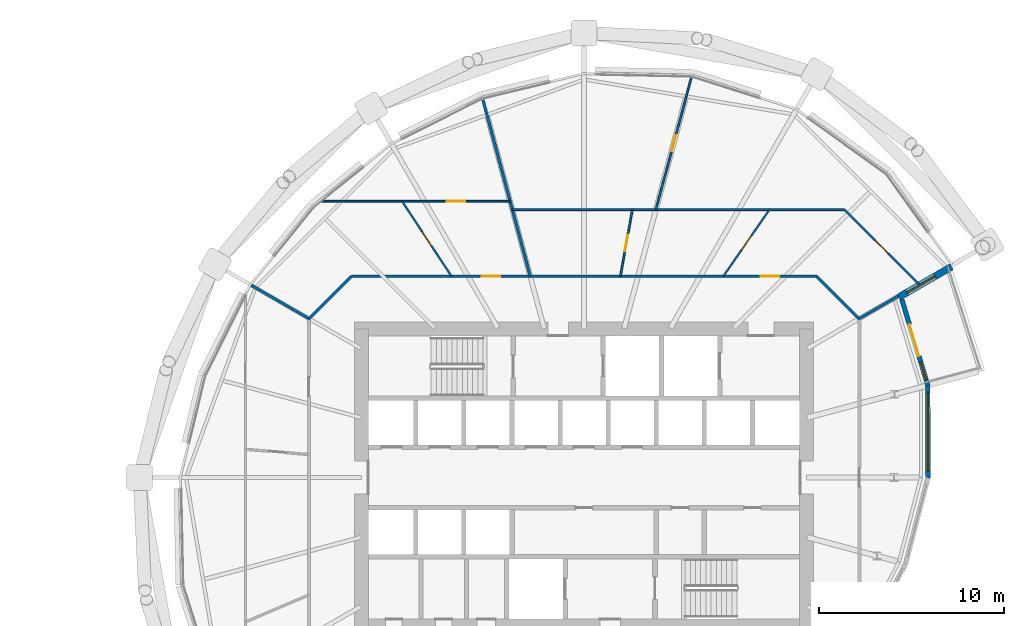
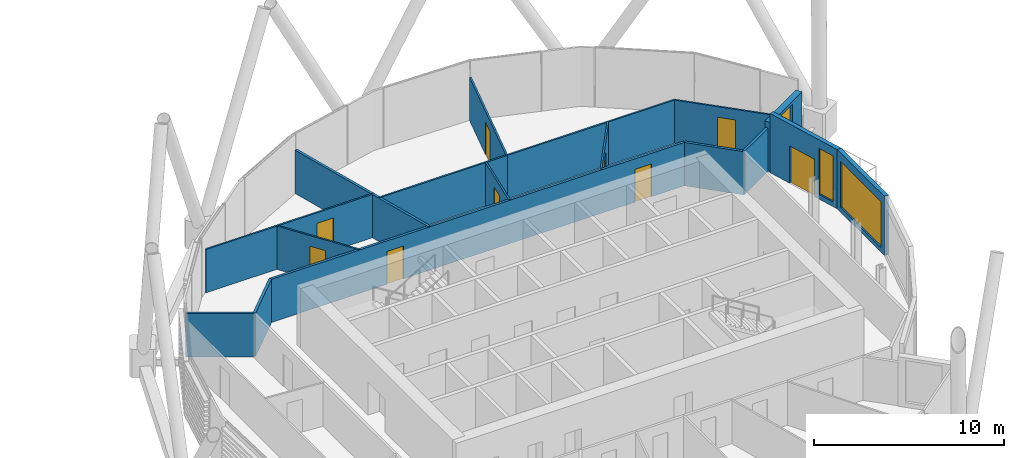
# One storey, part 32 of 39: 17 walls, 9 doors, 3 windows, 12 openings.
"""IFC4 building model written with IfcOpenShell, lengths in metres."""

from ifc_helpers import new_model, si_unit, direction, frame, frame_2d, origin, place, context, subcontext, project, spatial, rectangle, extrude, material, layer, layer_set, type_object, element, fill, save


model = new_model("IFC4")

# Units and contexts
model_context = context("Model", 3, precision=1e-05, world=origin(), true_north=direction((0.0, 1.0)))
body_context = subcontext(model_context, "Body", "Model", "MODEL_VIEW")
ifc_project = project(units=[si_unit("LENGTHUNIT", "METRE"), si_unit("AREAUNIT", "SQUARE_METRE"), si_unit("VOLUMEUNIT", "CUBIC_METRE"), si_unit("PLANEANGLEUNIT", "RADIAN"), si_unit("MASSUNIT", "GRAM", prefix="KILO")], contexts=[model_context])

# Site, building, storey
site_placement = place(None, origin())
site = spatial("IfcSite", under=ifc_project, at=site_placement, CompositionType="ELEMENT")
building_placement = place(site_placement, origin())
building = spatial("IfcBuilding", under=site, at=building_placement, Name="Rimbun Link Towers", CompositionType="ELEMENT")
storey_placement = place(building_placement, frame((0.0, 0.0, 115.800048828125)))
storey = spatial("IfcBuildingStorey", under=building, at=storey_placement, Name="L28", CompositionType="ELEMENT", Elevation=115.800048828125)

# Wall, opening, window
ifc_material_1 = material(Name="Dark enamelled glass spandrel on insulated aluminium backpan", Category="aluminium")
ifc_layer_1 = layer(ifc_material_1, 0.25)
ifc_layer_set_1 = layer_set([ifc_layer_1], Name="CS dark enamelled spandrel wall 250")
wall_type_1 = type_object("IfcWallType", Name="CS dark enamelled spandrel wall 250", PredefinedType="STANDARD", material=ifc_layer_set_1)
wall_1_placement = place(storey_placement, frame((50.295654296875, 4.954345703125, 0.0), z_axis=(0.0, 0.0, 1.0), x_axis=(0.001964825758, -0.999998069728, 0.0)))
wall_1 = element("IfcWall", 1, at=wall_1_placement, inside=storey, type_object=wall_type_1, Name="Crease spandrel wall", PredefinedType="STANDARD", context=body_context, shape_type="SweptSolid", body=[
    extrude(rectangle(XDim=4.97021484375, YDim=0.25, at=frame_2d((2.485107421875, 0.0))), origin(), (0.0, 0.0, 1.0), 3.800048828125),
])
opening_1_placement = place(wall_1_placement, frame((0.360107421875, 0.0, 0.300048828125)))
opening_1 = element("IfcOpeningElement", 2, at=opening_1_placement, cuts=wall_1, Name="Opening WR42H295", PredefinedType="OPENING", context=body_context, shape_type="SweptSolid", body=[
    extrude(rectangle(XDim=4.25, YDim=2.949951171875, at=frame_2d((2.125, 1.47509765625))), frame((0.0, 0.135009765625, 0.0), z_axis=(0.0, -1.0, 0.0), x_axis=(1.0, 0.0, 0.0)), (0.0, 0.0, 1.0), 0.27001953125),
])
ifc_material_2 = material(Name="Aluminium framed fixed window, dark tinted low-e glass", Category="aluminium")
window_type_1 = type_object("IfcWindowType", Name="WR ribbon window 4250X2950", PartitioningType="SINGLE_PANEL", PredefinedType="WINDOW", material=ifc_material_2)
window_1_placement = place(opening_1_placement, origin())
window_1 = element("IfcWindow", 3, at=window_1_placement, inside=storey, type_object=window_type_1, Name="Crease ribbon window", OverallHeight=2.949951171875, OverallWidth=4.25, PartitioningType="SINGLE_PANEL", PredefinedType="WINDOW", context=body_context, shape_type="SweptSolid", body=[
    extrude(rectangle(XDim=4.25, YDim=2.949951171875, at=frame_2d((2.125, 1.47509765625))), frame((0.0, 0.030029296875, 0.0), z_axis=(0.0, -1.0, 0.0), x_axis=(1.0, 0.0, 0.0)), (0.0, 0.0, 1.0), 0.06005859375),
])
fill(opening_1, window_1)

# Wall, openings, door, window
wall_2_placement = place(storey_placement, frame((48.889404296875, 9.606689453125, 0.0), z_axis=(0.0, 0.0, 1.0), x_axis=(0.289338123509, -0.957226958607, 0.0)))
wall_2 = element("IfcWall", 4, at=wall_2_placement, inside=storey, type_object=wall_type_1, Name="Crease spandrel wall", PredefinedType="STANDARD", context=body_context, shape_type="SweptSolid", body=[
    extrude(rectangle(XDim=4.8603515625, YDim=0.25, at=frame_2d((2.43017578125, 0.0))), origin(), (0.0, 0.0, 1.0), 3.800048828125),
])
opening_2_placement = place(wall_2_placement, frame((3.53369140625, 0.0, 0.300048828125)))
opening_2 = element("IfcOpeningElement", 5, at=opening_2_placement, cuts=wall_2, Name="Opening WR10H295", PredefinedType="OPENING", context=body_context, shape_type="SweptSolid", body=[
    extrude(rectangle(XDim=1.0, YDim=2.949951171875, at=frame_2d((0.5, 1.47509765625))), frame((0.0, 0.135009765625, 0.0), z_axis=(0.0, -1.0, 0.0), x_axis=(1.0, 0.0, 0.0)), (0.0, 0.0, 1.0), 0.27001953125),
])
opening_3_placement = place(wall_2_placement, frame((1.4072265625, 0.0, 0.0)))
opening_3 = element("IfcOpeningElement", 6, at=opening_3_placement, cuts=wall_2, Name="Opening ED66", PredefinedType="OPENING", context=body_context, shape_type="SweptSolid", body=[
    extrude(rectangle(XDim=1.800048828125, YDim=2.39990234375, at=frame_2d((0.89990234375, 1.199951171875))), frame((0.0, 0.135009765625, 0.0), z_axis=(0.0, -1.0, 0.0), x_axis=(1.0, 0.0, 0.0)), (0.0, 0.0, 1.0), 0.27001953125),
])
ifc_material_3 = material(Name="Aluminium framed glazed door, low-iron glass", Category="aluminium")
door_type_1 = type_object("IfcDoorType", Name="ED terrace door double leaf 1800X2400", OperationType="DOUBLE_DOOR_SINGLE_SWING", PredefinedType="DOOR", material=ifc_material_3)
door_1_placement = place(opening_3_placement, origin())
door_1 = element("IfcDoor", 7, at=door_1_placement, inside=storey, type_object=door_type_1, Name="Terrace door", OperationType="SINGLE_SWING_LEFT", OverallHeight=2.39990234375, OverallWidth=1.800048828125, PredefinedType="DOOR", context=body_context, shape_type="SweptSolid", body=[
    extrude(rectangle(XDim=1.800048828125, YDim=2.39990234375, at=frame_2d((0.89990234375, 1.199951171875))), frame((0.0, 0.02490234375, 0.0), z_axis=(0.0, -1.0, 0.0), x_axis=(1.0, 0.0, 0.0)), (0.0, 0.0, 1.0), 0.050048828125),
])
fill(opening_3, door_1)
ifc_material_4 = material(Name="Aluminium framed fixed window, dark tinted low-e glass", Category="aluminium")
window_type_2 = type_object("IfcWindowType", Name="WR ribbon window 1000X2950", PartitioningType="SINGLE_PANEL", PredefinedType="WINDOW", material=ifc_material_4)
window_2_placement = place(opening_2_placement, origin())
window_2 = element("IfcWindow", 8, at=window_2_placement, inside=storey, type_object=window_type_2, Name="Crease ribbon window", OverallHeight=2.949951171875, OverallWidth=1.0, PartitioningType="SINGLE_PANEL", PredefinedType="WINDOW", context=body_context, shape_type="SweptSolid", body=[
    extrude(rectangle(XDim=1.0, YDim=2.949951171875, at=frame_2d((0.5, 1.47509765625))), frame((0.0, 0.030029296875, 0.0), z_axis=(0.0, -1.0, 0.0), x_axis=(1.0, 0.0, 0.0)), (0.0, 0.0, 1.0), 0.06005859375),
])
fill(opening_2, window_2)

# Wall, opening, window
ifc_material_5 = material(Name="Dark enamelled glass spandrel on insulated aluminium backpan", Category="aluminium")
ifc_layer_2 = layer(ifc_material_5, 0.3701171875)
ifc_layer_set_2 = layer_set([ifc_layer_2], Name="CS dark enamelled spandrel wall 370")
wall_type_2 = type_object("IfcWallType", Name="CS dark enamelled spandrel wall 370", PredefinedType="STANDARD", material=ifc_layer_set_2)
wall_3_placement = place(storey_placement, frame((51.5771484375, 11.3720703125, 0.0), z_axis=(0.0, 0.0, 1.0), x_axis=(-0.866040564224, -0.499973740429, 0.0)))
wall_3 = element("IfcWall", 9, at=wall_3_placement, inside=storey, type_object=wall_type_2, Name="Crease spandrel wall", PredefinedType="STANDARD", context=body_context, shape_type="SweptSolid", body=[
    extrude(rectangle(XDim=3.280029296875, YDim=0.3701171875, at=frame_2d((1.64013671875, 0.0))), origin(), (0.0, 0.0, 1.0), 3.176513671875),
])
opening_4_placement = place(wall_3_placement, frame((1.03369140625, 0.0, 0.300048828125)))
opening_4 = element("IfcOpeningElement", 10, at=opening_4_placement, cuts=wall_3, Name="Opening WR18H270", PredefinedType="OPENING", context=body_context, shape_type="SweptSolid", body=[
    extrude(rectangle(XDim=1.75, YDim=2.699951171875, at=frame_2d((0.875, 1.35009765625))), frame((0.0, 0.195068359375, 0.0), z_axis=(0.0, -1.0, 0.0), x_axis=(1.0, 0.0, 0.0)), (0.0, 0.0, 1.0), 0.39013671875),
])
ifc_material_6 = material(Name="Aluminium framed fixed window, dark tinted low-e glass", Category="aluminium")
window_type_3 = type_object("IfcWindowType", Name="WR ribbon window 1750X2700", PartitioningType="SINGLE_PANEL", PredefinedType="WINDOW", material=ifc_material_6)
window_3_placement = place(opening_4_placement, origin())
window_3 = element("IfcWindow", 11, at=window_3_placement, inside=storey, type_object=window_type_3, Name="Crease ribbon window", OverallHeight=2.699951171875, OverallWidth=1.75, PartitioningType="SINGLE_PANEL", PredefinedType="WINDOW", context=body_context, shape_type="SweptSolid", body=[
    extrude(rectangle(XDim=1.75, YDim=2.699951171875, at=frame_2d((0.875, 1.35009765625))), frame((0.0, 0.030029296875, 0.0), z_axis=(0.0, -1.0, 0.0), x_axis=(1.0, 0.0, 0.0)), (0.0, 0.0, 1.0), 0.06005859375),
])
fill(opening_4, window_3)

# Wall, openings, doors
ifc_material_7 = material(Name="Plasterboard on steel stud, mineral wool", Category="steel")
ifc_layer_3 = layer(ifc_material_7, 0.14990234375)
ifc_layer_set_3 = layer_set([ifc_layer_3], Name="Corridor wall EI 30 150 mm")
wall_type_3 = type_object("IfcWallType", Name="Corridor wall EI 30 150 mm", PredefinedType="PARTITIONING", material=ifc_layer_set_3)
wall_4_placement = place(storey_placement, frame((19.1982421875, 10.85009765625, 0.0), z_axis=(0.0, 0.0, 1.0), x_axis=(1.0, 0.0, 0.0)))
wall_4 = element("IfcWall", 12, at=wall_4_placement, inside=storey, type_object=wall_type_3, Name="Corridor wall EI 30 150 mm", PredefinedType="PARTITIONING", context=body_context, shape_type="SweptSolid", body=[
    extrude(rectangle(XDim=25.103515625, YDim=0.14990234375, at=frame_2d((12.5517578125, 0.0))), origin(), (0.0, 0.0, 1.0), 2.779052734375),
])
opening_5_placement = place(wall_4_placement, frame((22.0810546875, 0.0, 0.0)))
opening_5 = element("IfcOpeningElement", 13, at=opening_5_placement, cuts=wall_4, Name="Opening D01", PredefinedType="OPENING", context=body_context, shape_type="SweptSolid", body=[
    extrude(rectangle(XDim=1.0, YDim=2.10009765625, at=frame_2d((0.5, 1.050048828125))), frame((0.0, 0.0849609375, 0.0), z_axis=(0.0, -1.0, 0.0), x_axis=(1.0, 0.0, 0.0)), (0.0, 0.0, 1.0), 0.169921875),
])
opening_6_placement = place(wall_4_placement, frame((7.02197265625, 0.0, 0.0)))
opening_6 = element("IfcOpeningElement", 14, at=opening_6_placement, cuts=wall_4, Name="Opening D01", PredefinedType="OPENING", context=body_context, shape_type="SweptSolid", body=[
    extrude(rectangle(XDim=1.0, YDim=2.10009765625, at=frame_2d((0.5, 1.050048828125))), frame((0.0, 0.0849609375, 0.0), z_axis=(0.0, -1.0, 0.0), x_axis=(1.0, 0.0, 0.0)), (0.0, 0.0, 1.0), 0.169921875),
])
ifc_material_8 = material(Name="Fire-resisting timber door leaf", Category="wood")
door_type_2 = type_object("IfcDoorType", Name="Fire door FD30S 1000", OperationType="NOTDEFINED", PredefinedType="DOOR", material=ifc_material_8)
door_2_placement = place(opening_5_placement, origin())
door_2 = element("IfcDoor", 15, at=door_2_placement, inside=storey, type_object=door_type_2, Name="Fire door FD30S 1000 to Reception", OperationType="SINGLE_SWING_LEFT", OverallHeight=2.10009765625, OverallWidth=1.0, PredefinedType="DOOR", context=body_context, shape_type="SweptSolid", body=[
    extrude(rectangle(XDim=1.0, YDim=2.10009765625, at=frame_2d((0.5, 1.050048828125))), frame((0.0, 0.02490234375, 0.0), z_axis=(0.0, -1.0, 0.0), x_axis=(1.0, 0.0, 0.0)), (0.0, 0.0, 1.0), 0.050048828125),
])
fill(opening_5, door_2)
door_3_placement = place(opening_6_placement, origin())
door_3 = element("IfcDoor", 16, at=door_3_placement, inside=storey, type_object=door_type_2, Name="Fire door FD30S 1000 to Reception", OperationType="SINGLE_SWING_RIGHT", OverallHeight=2.10009765625, OverallWidth=1.0, PredefinedType="DOOR", context=body_context, shape_type="SweptSolid", body=[
    extrude(rectangle(XDim=1.0, YDim=2.10009765625, at=frame_2d((0.5, 1.050048828125))), frame((0.0, 0.02490234375, 0.0), z_axis=(0.0, -1.0, 0.0), x_axis=(1.0, 0.0, 0.0)), (0.0, 0.0, 1.0), 0.050048828125),
])
fill(opening_6, door_3)

# Walls
for number, where, z_axis, x_axis, name in (
    (17, (46.60009765625, 8.5517578125, 0.0), (0.0, 0.0, 1.0), (-0.707106781187, 0.707106781187, 0.0), "Corridor wall EI 30 150 mm"),
    (18, (19.1982421875, 10.85009765625, 0.0), (0.0, 0.0, 1.0), (-0.707106781187, -0.707106781187, 0.0), "Corridor wall EI 30 150 mm"),
):
    element("IfcWall", number, at=place(storey_placement, frame(where, z_axis=z_axis, x_axis=x_axis)), inside=storey, type_object=wall_type_3, Name=name, PredefinedType="PARTITIONING", context=body_context, shape_type="SweptSolid", body=[
        extrude(rectangle(XDim=3.250244140625, YDim=0.14990234375, at=frame_2d((1.625, 0.0))), origin(), (0.0, 0.0, 1.0), 2.779052734375),
    ])

# Wall, opening, door
ifc_material_9 = material(Name="Plasterboard on steel stud", Category="steel")
ifc_layer_4 = layer(ifc_material_9, 0.10009765625)
ifc_layer_set_4 = layer_set([ifc_layer_4], Name="Plasterboard partition 100 mm")
wall_type_4 = type_object("IfcWallType", Name="Plasterboard partition 100 mm", PredefinedType="PARTITIONING", material=ifc_layer_set_4)
wall_5_placement = place(storey_placement, frame((39.257080078125, 10.85009765625, 0.0), z_axis=(0.0, 0.0, 1.0), x_axis=(0.569018561691, 0.822324678245, 0.0)))
wall_5 = element("IfcWall", 19, at=wall_5_placement, inside=storey, type_object=wall_type_4, Name="Plasterboard partition 100 mm", PredefinedType="PARTITIONING", context=body_context, shape_type="SweptSolid", body=[
    extrude(rectangle(XDim=4.377685546875, YDim=0.10009765625, at=frame_2d((2.18896484375, 0.0))), origin(), (0.0, 0.0, 1.0), 2.779052734375),
])
opening_7_placement = place(wall_5_placement, frame((1.73876953125, 0.0, 0.0)))
opening_7 = element("IfcOpeningElement", 20, at=opening_7_placement, cuts=wall_5, Name="Opening D04", PredefinedType="OPENING", context=body_context, shape_type="SweptSolid", body=[
    extrude(rectangle(XDim=0.89990234375, YDim=2.10009765625, at=frame_2d((0.449951171875, 1.050048828125))), frame((0.0, 0.06005859375, 0.0), z_axis=(0.0, -1.0, 0.0), x_axis=(1.0, 0.0, 0.0)), (0.0, 0.0, 1.0), 0.1201171875),
])
ifc_material_10 = material(Name="Timber door leaf", Category="wood")
door_type_3 = type_object("IfcDoorType", Name="Flush door 900", OperationType="NOTDEFINED", PredefinedType="DOOR", material=ifc_material_10)
door_4_placement = place(opening_7_placement, origin())
door_4 = element("IfcDoor", 21, at=door_4_placement, inside=storey, type_object=door_type_3, Name="Flush door 900 to Meeting room", OperationType="SINGLE_SWING_RIGHT", OverallHeight=2.10009765625, OverallWidth=0.89990234375, PredefinedType="DOOR", context=body_context, shape_type="SweptSolid", body=[
    extrude(rectangle(XDim=0.89990234375, YDim=2.10009765625, at=frame_2d((0.449951171875, 1.050048828125))), frame((0.0, 0.02490234375, 0.0), z_axis=(0.0, -1.0, 0.0), x_axis=(1.0, 0.0, 0.0)), (0.0, 0.0, 1.0), 0.050048828125),
])
fill(opening_7, door_4)

wall_6_placement = place(storey_placement, frame((45.792724609375, 14.449951171875, 0.0), z_axis=(0.0, 0.0, 1.0), x_axis=(0.707128248021, -0.707085313701, 0.0)))
wall_6 = element("IfcWall", 22, at=wall_6_placement, inside=storey, type_object=wall_type_4, Name="Plasterboard partition 100 mm", PredefinedType="PARTITIONING", context=body_context, shape_type="SweptSolid", body=[
    extrude(rectangle(XDim=5.686279296875, YDim=0.10009765625, at=frame_2d((2.84326171875, 0.0))), origin(), (0.0, 0.0, 1.0), 2.779052734375),
])
opening_8_placement = place(wall_6_placement, frame((2.34326171875, 0.0, 0.0)))
opening_8 = element("IfcOpeningElement", 23, at=opening_8_placement, cuts=wall_6, Name="Opening D03", PredefinedType="OPENING", context=body_context, shape_type="SweptSolid", body=[
    extrude(rectangle(XDim=1.0, YDim=2.10009765625, at=frame_2d((0.5, 1.050048828125))), frame((0.0, 0.06005859375, 0.0), z_axis=(0.0, -1.0, 0.0), x_axis=(1.0, 0.0, 0.0)), (0.0, 0.0, 1.0), 0.1201171875),
])
ifc_material_11 = material(Name="Timber door leaf", Category="wood")
door_type_4 = type_object("IfcDoorType", Name="Flush door 1000", OperationType="NOTDEFINED", PredefinedType="DOOR", material=ifc_material_11)
door_5_placement = place(opening_8_placement, origin())
door_5 = element("IfcDoor", 24, at=door_5_placement, inside=storey, type_object=door_type_4, Name="Flush door 1000 to Co-working space", OperationType="SINGLE_SWING_LEFT", OverallHeight=2.10009765625, OverallWidth=1.0, PredefinedType="DOOR", context=body_context, shape_type="SweptSolid", body=[
    extrude(rectangle(XDim=1.0, YDim=2.10009765625, at=frame_2d((0.5, 1.050048828125))), frame((0.0, 0.02490234375, 0.0), z_axis=(0.0, -1.0, 0.0), x_axis=(1.0, 0.0, 0.0)), (0.0, 0.0, 1.0), 0.050048828125),
])
fill(opening_8, door_5)

# Wall
wall_7_placement = place(storey_placement, frame((45.792724609375, 14.449951171875, 0.0), z_axis=(0.0, 0.0, 1.0), x_axis=(-1.0, 0.0, 0.0)))
element("IfcWall", 25, at=wall_7_placement, inside=storey, type_object=wall_type_4, Name="Plasterboard partition 100 mm", PredefinedType="PARTITIONING", context=body_context, shape_type="SweptSolid", body=[
    extrude(rectangle(XDim=10.1708984375, YDim=0.10009765625, at=frame_2d((5.08544921875, 0.0))), origin(), (0.0, 0.0, 1.0), 2.779052734375),
])

# Wall, opening, door
wall_8_placement = place(storey_placement, frame((33.7060546875, 10.85009765625, 0.0), z_axis=(0.0, 0.0, 1.0), x_axis=(0.177405124401, 0.984137907936, 0.0)))
wall_8 = element("IfcWall", 26, at=wall_8_placement, inside=storey, type_object=wall_type_4, Name="Plasterboard partition 100 mm", PredefinedType="PARTITIONING", context=body_context, shape_type="SweptSolid", body=[
    extrude(rectangle(XDim=3.657958984375, YDim=0.10009765625, at=frame_2d((1.8291015625, 0.0))), origin(), (0.0, 0.0, 1.0), 2.779052734375),
])
opening_9_placement = place(wall_8_placement, frame((1.37890625, 0.0, 0.0)))
opening_9 = element("IfcOpeningElement", 27, at=opening_9_placement, cuts=wall_8, Name="Opening D04", PredefinedType="OPENING", context=body_context, shape_type="SweptSolid", body=[
    extrude(rectangle(XDim=0.89990234375, YDim=2.10009765625, at=frame_2d((0.449951171875, 1.050048828125))), frame((0.0, 0.06005859375, 0.0), z_axis=(0.0, -1.0, 0.0), x_axis=(1.0, 0.0, 0.0)), (0.0, 0.0, 1.0), 0.1201171875),
])
door_6_placement = place(opening_9_placement, origin())
door_6 = element("IfcDoor", 28, at=door_6_placement, inside=storey, type_object=door_type_3, Name="Flush door 900 to Pantry", OperationType="SINGLE_SWING_RIGHT", OverallHeight=2.10009765625, OverallWidth=0.89990234375, PredefinedType="DOOR", context=body_context, shape_type="SweptSolid", body=[
    extrude(rectangle(XDim=0.89990234375, YDim=2.10009765625, at=frame_2d((0.449951171875, 1.050048828125))), frame((0.0, 0.02490234375, 0.0), z_axis=(0.0, -1.0, 0.0), x_axis=(1.0, 0.0, 0.0)), (0.0, 0.0, 1.0), 0.050048828125),
])
fill(opening_9, door_6)

# Wall
wall_9_placement = place(storey_placement, frame((35.621826171875, 14.449951171875, 0.0), z_axis=(0.0, 0.0, 1.0), x_axis=(-1.0, 0.0, 0.0)))
element("IfcWall", 29, at=wall_9_placement, inside=storey, type_object=wall_type_4, Name="Plasterboard partition 100 mm", PredefinedType="PARTITIONING", context=body_context, shape_type="SweptSolid", body=[
    extrude(rectangle(XDim=7.74365234375, YDim=0.10009765625, at=frame_2d((3.871826171875, 0.0))), origin(), (0.0, 0.0, 1.0), 2.779052734375),
])

# Wall, opening, door
wall_10_placement = place(storey_placement, frame((35.621826171875, 14.449951171875, 0.0), z_axis=(0.0, 0.0, 1.0), x_axis=(0.258802500484, 0.965930259254, 0.0)))
wall_10 = element("IfcWall", 30, at=wall_10_placement, inside=storey, type_object=wall_type_4, Name="Plasterboard partition 100 mm", PredefinedType="PARTITIONING", context=body_context, shape_type="SweptSolid", body=[
    extrude(rectangle(XDim=7.410888671875, YDim=0.10009765625, at=frame_2d((3.70556640625, 0.0))), origin(), (0.0, 0.0, 1.0), 2.779052734375),
])
opening_10_placement = place(wall_10_placement, frame((3.25537109375, 0.0, 0.0)))
opening_10 = element("IfcOpeningElement", 31, at=opening_10_placement, cuts=wall_10, Name="Opening D04", PredefinedType="OPENING", context=body_context, shape_type="SweptSolid", body=[
    extrude(rectangle(XDim=0.89990234375, YDim=2.10009765625, at=frame_2d((0.449951171875, 1.050048828125))), frame((0.0, 0.06005859375, 0.0), z_axis=(0.0, -1.0, 0.0), x_axis=(1.0, 0.0, 0.0)), (0.0, 0.0, 1.0), 0.1201171875),
])
door_7_placement = place(opening_10_placement, origin())
door_7 = element("IfcDoor", 32, at=door_7_placement, inside=storey, type_object=door_type_3, Name="Flush door 900 to Serviced office", OperationType="SINGLE_SWING_RIGHT", OverallHeight=2.10009765625, OverallWidth=0.89990234375, PredefinedType="DOOR", context=body_context, shape_type="SweptSolid", body=[
    extrude(rectangle(XDim=0.89990234375, YDim=2.10009765625, at=frame_2d((0.449951171875, 1.050048828125))), frame((0.0, 0.02490234375, 0.0), z_axis=(0.0, -1.0, 0.0), x_axis=(1.0, 0.0, 0.0)), (0.0, 0.0, 1.0), 0.050048828125),
])
fill(opening_10, door_7)

wall_11_placement = place(storey_placement, frame((24.597900390625, 10.85009765625, 0.0), z_axis=(0.0, 0.0, 1.0), x_axis=(-0.550383539019, 0.834911947439, 0.0)))
wall_11 = element("IfcWall", 33, at=wall_11_placement, inside=storey, type_object=wall_type_4, Name="Plasterboard partition 100 mm", PredefinedType="PARTITIONING", context=body_context, shape_type="SweptSolid", body=[
    extrude(rectangle(XDim=4.8505859375, YDim=0.10009765625, at=frame_2d((2.42529296875, 0.0))), origin(), (0.0, 0.0, 1.0), 2.779052734375),
])
opening_11_placement = place(wall_11_placement, frame((1.975341796875, 0.0, 0.0)))
opening_11 = element("IfcOpeningElement", 34, at=opening_11_placement, cuts=wall_11, Name="Opening D04", PredefinedType="OPENING", context=body_context, shape_type="SweptSolid", body=[
    extrude(rectangle(XDim=0.89990234375, YDim=2.10009765625, at=frame_2d((0.449951171875, 1.050048828125))), frame((0.0, 0.06005859375, 0.0), z_axis=(0.0, -1.0, 0.0), x_axis=(1.0, 0.0, 0.0)), (0.0, 0.0, 1.0), 0.1201171875),
])
door_8_placement = place(opening_11_placement, origin())
door_8 = element("IfcDoor", 35, at=door_8_placement, inside=storey, type_object=door_type_3, Name="Flush door 900 to Pantry", OperationType="SINGLE_SWING_LEFT", OverallHeight=2.10009765625, OverallWidth=0.89990234375, PredefinedType="DOOR", context=body_context, shape_type="SweptSolid", body=[
    extrude(rectangle(XDim=0.89990234375, YDim=2.10009765625, at=frame_2d((0.449951171875, 1.050048828125))), frame((0.0, 0.02490234375, 0.0), z_axis=(0.0, -1.0, 0.0), x_axis=(1.0, 0.0, 0.0)), (0.0, 0.0, 1.0), 0.050048828125),
])
fill(opening_11, door_8)

wall_12_placement = place(storey_placement, frame((17.597412109375, 14.89990234375, 0.0), z_axis=(0.0, 0.0, 1.0), x_axis=(1.0, 0.0, 0.0)))
wall_12 = element("IfcWall", 36, at=wall_12_placement, inside=storey, type_object=wall_type_4, Name="Plasterboard partition 100 mm", PredefinedType="PARTITIONING", context=body_context, shape_type="SweptSolid", body=[
    extrude(rectangle(XDim=10.16015625, YDim=0.10009765625, at=frame_2d((5.080078125, 0.0))), origin(), (0.0, 0.0, 1.0), 2.779052734375),
])
opening_12_placement = place(wall_12_placement, frame((6.730712890625, 0.0, 0.0)))
opening_12 = element("IfcOpeningElement", 37, at=opening_12_placement, cuts=wall_12, Name="Opening D03", PredefinedType="OPENING", context=body_context, shape_type="SweptSolid", body=[
    extrude(rectangle(XDim=1.0, YDim=2.10009765625, at=frame_2d((0.5, 1.050048828125))), frame((0.0, 0.06005859375, 0.0), z_axis=(0.0, -1.0, 0.0), x_axis=(1.0, 0.0, 0.0)), (0.0, 0.0, 1.0), 0.1201171875),
])
door_9_placement = place(opening_12_placement, origin())
door_9 = element("IfcDoor", 38, at=door_9_placement, inside=storey, type_object=door_type_4, Name="Flush door 1000 to Boardroom", OperationType="SINGLE_SWING_RIGHT", OverallHeight=2.10009765625, OverallWidth=1.0, PredefinedType="DOOR", context=body_context, shape_type="SweptSolid", body=[
    extrude(rectangle(XDim=1.0, YDim=2.10009765625, at=frame_2d((0.5, 1.050048828125))), frame((0.0, 0.02490234375, 0.0), z_axis=(0.0, -1.0, 0.0), x_axis=(1.0, 0.0, 0.0)), (0.0, 0.0, 1.0), 0.050048828125),
])
fill(opening_12, door_9)

# Walls
ifc_material_12 = material(Name="Plasterboard on steel stud, mineral wool", Category="steel")
ifc_layer_5 = layer(ifc_material_12, 0.14990234375)
ifc_layer_set_5 = layer_set([ifc_layer_5], Name="Tenancy separation wall EI 60 150 mm")
wall_type_5 = type_object("IfcWallType", Name="Tenancy separation wall EI 60 150 mm", PredefinedType="PARTITIONING", material=ifc_layer_set_5)
wall_13_placement = place(storey_placement, frame((28.8427734375, 10.85009765625, 0.0), z_axis=(0.0, 0.0, 1.0), x_axis=(-0.258820238395, 0.965925506547, 0.0)))
element("IfcWall", 39, at=wall_13_placement, inside=storey, type_object=wall_type_5, Name="Tenancy separation wall EI 60 150 mm", PredefinedType="PARTITIONING", context=body_context, shape_type="SweptSolid", body=[
    extrude(rectangle(XDim=9.9091796875, YDim=0.14990234375, at=frame_2d((4.95458984375, 0.0))), origin(), (0.0, 0.0, 1.0), 2.779052734375),
])
wall_14_placement = place(storey_placement, frame((16.9140625, 8.565673828125, 0.0), z_axis=(0.0, 0.0, 1.0), x_axis=(-0.866049289354, 0.499958626698, 0.0)))
element("IfcWall", 40, at=wall_14_placement, inside=storey, type_object=wall_type_5, Name="Tenancy separation wall EI 60 150 mm", PredefinedType="PARTITIONING", context=body_context, shape_type="SweptSolid", body=[
    extrude(rectangle(XDim=3.609130859375, YDim=0.14990234375, at=frame_2d((1.8046875, 0.0))), origin(), (0.0, 0.0, 1.0), 2.779052734375),
])
wall_15_placement = place(storey_placement, frame((46.586181640625, 8.565673828125, 0.0), z_axis=(0.0, 0.0, 1.0), x_axis=(0.86604760459, 0.499961545105, 0.0)))
element("IfcWall", 41, at=wall_15_placement, inside=storey, type_object=wall_type_5, Name="Tenancy separation wall EI 60 150 mm", PredefinedType="PARTITIONING", context=body_context, shape_type="SweptSolid", body=[
    extrude(rectangle(XDim=2.445556640625, YDim=0.14990234375, at=frame_2d((1.22265625, 0.0))), origin(), (0.0, 0.0, 1.0), 2.779052734375),
])

save(model, "model.ifc")
